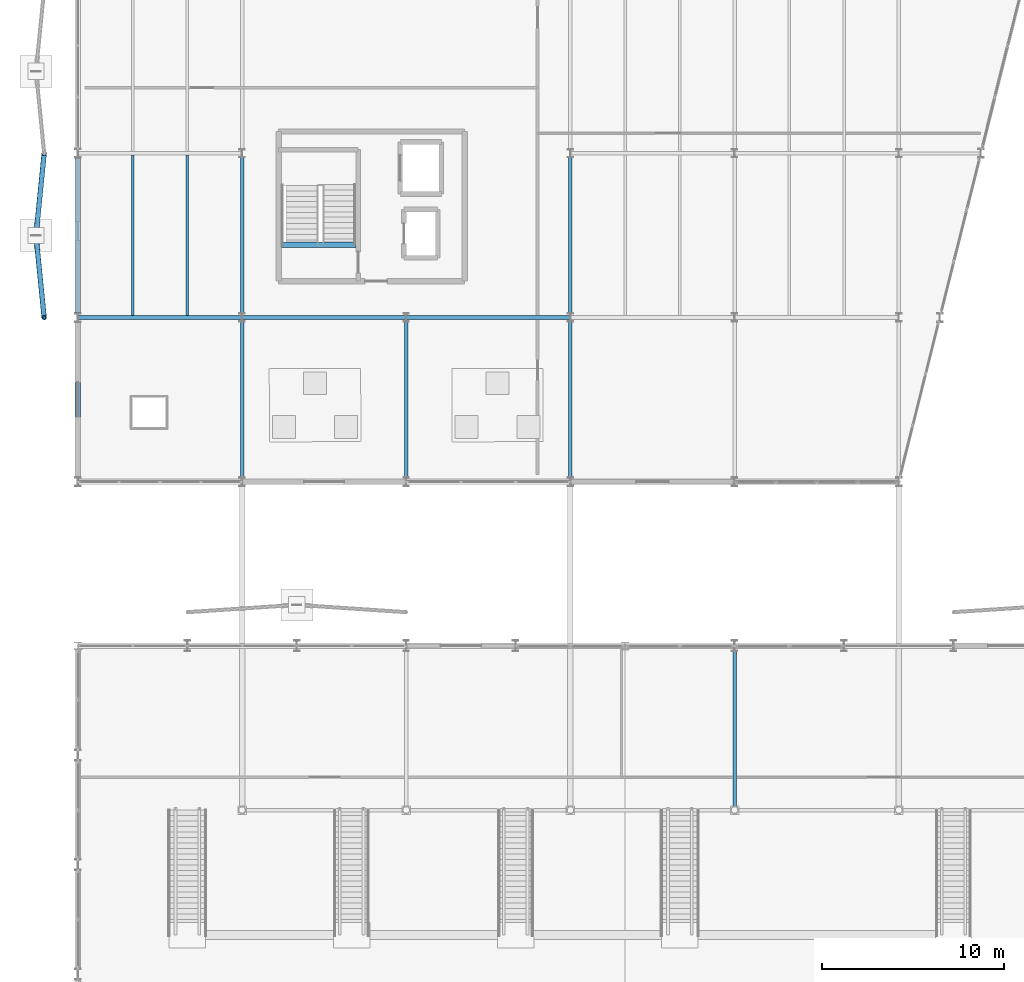
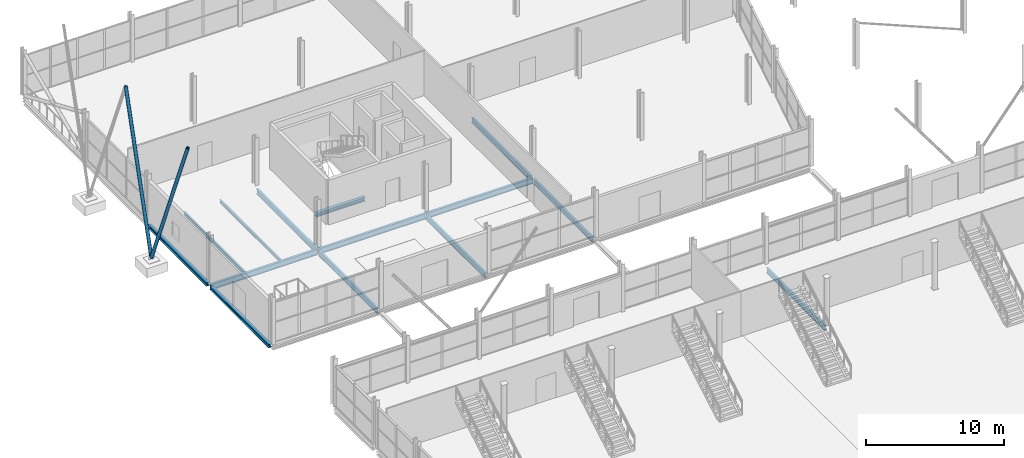
# One storey, part 45 of 140: 14 beams, 2 members.
"""IFC4 building model written with IfcOpenShell, lengths in metres."""

from ifc_helpers import new_model, si_unit, direction, frame, origin, origin_2d, place, context, subcontext, project, spatial, hollow_circle, i_section, extrude, material, material_profile, profile_set, type_object, element, save


model = new_model("IFC4")

# Units and contexts
model_context = context("Model", 3, precision=1e-05, world=origin(), true_north=direction((0.0, 1.0)))
body_context = subcontext(model_context, "Body", "Model", "MODEL_VIEW")
ifc_project = project(units=[si_unit("LENGTHUNIT", "METRE"), si_unit("AREAUNIT", "SQUARE_METRE"), si_unit("VOLUMEUNIT", "CUBIC_METRE"), si_unit("PLANEANGLEUNIT", "RADIAN"), si_unit("MASSUNIT", "GRAM", prefix="KILO")], contexts=[model_context])

# Site, building, storey
site_placement = place(None, origin())
site = spatial("IfcSite", under=ifc_project, at=site_placement, CompositionType="ELEMENT")
building_placement = place(site_placement, origin())
building = spatial("IfcBuilding", under=site, at=building_placement, Name="Deido Ridge Mobility Hub", CompositionType="ELEMENT")
storey_placement = place(building_placement, origin())
storey = spatial("IfcBuildingStorey", under=building, at=storey_placement, Name="L00", CompositionType="ELEMENT", Elevation=0.0)

# Beams
ifc_material_1 = material(Name="Steel S355J2 EN 10025-2", Category="steel")
ifc_material_profile_1 = material_profile(ifc_material_1, i_section(OverallWidth=0.300048828125, OverallDepth=0.330078125, WebThickness=0.009521484375, FlangeThickness=0.0166015625, FilletRadius=0.027099609375, at=origin_2d()), Name="HEA 340")
ifc_profile_set_1 = profile_set([ifc_material_profile_1], Name="Steel S355J2 EN 10025-2")
beam_type_1 = type_object("IfcBeamType", Name="BM-HEA340", PredefinedType="BEAM", material=ifc_profile_set_1)
beam_1_placement = place(storey_placement, frame((11.14990234375, 58.0, -0.425048828125), z_axis=(1.0, 0.0, 0.0), x_axis=(0.0, 1.0, 0.0)))
element("IfcBeam", 1, at=beam_1_placement, inside=storey, type_object=beam_type_1, Name="C6 stair landing trimmer beam B6", PredefinedType="BEAM", context=body_context, shape_type="SweptSolid", body=[
    extrude(i_section(OverallWidth=0.300048828125, OverallDepth=0.330078125, WebThickness=0.009521484375, FlangeThickness=0.0166015625, FilletRadius=0.027099609375, at=origin_2d()), origin(), (0.0, 0.0, 1.0), 4.085205078125),
])
ifc_material_profile_2 = material_profile(ifc_material_1, i_section(OverallWidth=0.18994140625, OverallDepth=0.449951171875, WebThickness=0.009521484375, FlangeThickness=0.0146484375, FilletRadius=0.02099609375, at=origin_2d()), Name="IPE 450")
ifc_profile_set_2 = profile_set([ifc_material_profile_2], Name="Steel S355J2 EN 10025-2")
beam_type_2 = type_object("IfcBeamType", Name="BM-IPE450", PredefinedType="BEAM", material=ifc_profile_set_2)
beam_2_placement = place(storey_placement, frame((9.0, 45.25, -0.485107421875), z_axis=(0.0, 1.0, 0.0), x_axis=(-1.0, 0.0, 0.0)))
element("IfcBeam", 2, at=beam_2_placement, inside=storey, type_object=beam_type_2, Name="Floor beam B4", PredefinedType="BEAM", context=body_context, shape_type="SweptSolid", body=[
    extrude(i_section(OverallWidth=0.18994140625, OverallDepth=0.449951171875, WebThickness=0.009521484375, FlangeThickness=0.0146484375, FilletRadius=0.02099609375, at=origin_2d()), origin(), (0.0, 0.0, 1.0), 8.52490234375),
])
beam_3_placement = place(storey_placement, frame((9.0, 54.22509765625, -0.485107421875), z_axis=(0.0, 1.0, 0.0), x_axis=(-1.0, 0.0, 0.0)))
element("IfcBeam", 3, at=beam_3_placement, inside=storey, type_object=beam_type_2, Name="Floor beam B4", PredefinedType="BEAM", context=body_context, shape_type="SweptSolid", body=[
    extrude(i_section(OverallWidth=0.18994140625, OverallDepth=0.449951171875, WebThickness=0.009521484375, FlangeThickness=0.0146484375, FilletRadius=0.02099609375, at=origin_2d()), origin(), (0.0, 0.0, 1.0), 8.5498046875),
])
for number, where, z_axis, x_axis, name in (
    (4, (18.0, 45.25, -0.485107421875), (0.0, 1.0, 0.0), (-1.0, 0.0, 0.0), "Floor beam B4"),
    (5, (27.0, 45.25, -0.485107421875), (0.0, 1.0, 0.0), (-1.0, 0.0, 0.0), "Floor beam B4"),
):
    element("IfcBeam", number, at=place(storey_placement, frame(where, z_axis=z_axis, x_axis=x_axis)), inside=storey, type_object=beam_type_2, Name=name, PredefinedType="BEAM", context=body_context, shape_type="SweptSolid", body=[
        extrude(i_section(OverallWidth=0.18994140625, OverallDepth=0.449951171875, WebThickness=0.009521484375, FlangeThickness=0.0146484375, FilletRadius=0.02099609375, at=origin_2d()), origin(), (0.0, 0.0, 1.0), 8.52490234375),
    ])
beam_4_placement = place(storey_placement, frame((27.0, 54.22509765625, -0.485107421875), z_axis=(0.0, 1.0, 0.0), x_axis=(-1.0, 0.0, 0.0)))
element("IfcBeam", 6, at=beam_4_placement, inside=storey, type_object=beam_type_2, Name="Floor beam B4", PredefinedType="BEAM", context=body_context, shape_type="SweptSolid", body=[
    extrude(i_section(OverallWidth=0.18994140625, OverallDepth=0.449951171875, WebThickness=0.009521484375, FlangeThickness=0.0146484375, FilletRadius=0.02099609375, at=origin_2d()), origin(), (0.0, 0.0, 1.0), 8.5498046875),
])
beam_5_placement = place(storey_placement, frame((36.0, 27.203125, -0.485107421875), z_axis=(0.0, 1.0, 0.0), x_axis=(-1.0, 0.0, 0.0)))
element("IfcBeam", 7, at=beam_5_placement, inside=storey, type_object=beam_type_2, Name="Floor beam B4", PredefinedType="BEAM", context=body_context, shape_type="SweptSolid", body=[
    extrude(i_section(OverallWidth=0.18994140625, OverallDepth=0.449951171875, WebThickness=0.009521484375, FlangeThickness=0.0146484375, FilletRadius=0.02099609375, at=origin_2d()), origin(), (0.0, 0.0, 1.0), 8.496826171875),
])
ifc_material_profile_3 = material_profile(ifc_material_1, i_section(OverallWidth=0.199951171875, OverallDepth=0.5, WebThickness=0.01025390625, FlangeThickness=0.01611328125, FilletRadius=0.02099609375, at=origin_2d()), Name="IPE 500")
ifc_profile_set_3 = profile_set([ifc_material_profile_3], Name="Steel S355J2 EN 10025-2")
beam_type_3 = type_object("IfcBeamType", Name="BM-IPE500", PredefinedType="BEAM", material=ifc_profile_set_3)
beam_6_placement = place(storey_placement, frame((0.00732421875, 54.0, -0.510009765625), z_axis=(1.0, 0.0, 0.0), x_axis=(0.0, 1.0, 0.0)))
element("IfcBeam", 8, at=beam_6_placement, inside=storey, type_object=beam_type_3, Name="Floor beam B3", PredefinedType="BEAM", context=body_context, shape_type="SweptSolid", body=[
    extrude(i_section(OverallWidth=0.199951171875, OverallDepth=0.5, WebThickness=0.01025390625, FlangeThickness=0.01611328125, FilletRadius=0.02099609375, at=origin_2d()), origin(), (0.0, 0.0, 1.0), 8.985595703125),
])
for number, where, z_axis, x_axis, name in (
    (9, (9.007080078125, 54.0, -0.510009765625), (1.0, 0.0, 0.0), (0.0, 1.0, 0.0), "Floor beam B3"),
    (10, (18.007080078125, 54.0, -0.510009765625), (1.0, 0.0, 0.0), (0.0, 1.0, 0.0), "Floor beam B3"),
):
    element("IfcBeam", number, at=place(storey_placement, frame(where, z_axis=z_axis, x_axis=x_axis)), inside=storey, type_object=beam_type_3, Name=name, PredefinedType="BEAM", context=body_context, shape_type="SweptSolid", body=[
        extrude(i_section(OverallWidth=0.199951171875, OverallDepth=0.5, WebThickness=0.01025390625, FlangeThickness=0.01611328125, FilletRadius=0.02099609375, at=origin_2d()), origin(), (0.0, 0.0, 1.0), 8.98583984375),
    ])
ifc_material_profile_4 = material_profile(ifc_material_1, i_section(OverallWidth=0.135009765625, OverallDepth=0.27001953125, WebThickness=0.006591796875, FlangeThickness=0.01025390625, FilletRadius=0.014892578125, at=origin_2d()), Name="IPE 270")
ifc_profile_set_4 = profile_set([ifc_material_profile_4], Name="Steel S355J2 EN 10025-2")
beam_type_4 = type_object("IfcBeamType", Name="JST-IPE270", PredefinedType="JOIST", material=ifc_profile_set_4)
beam_7_placement = place(storey_placement, frame((6.0, 54.10009765625, -0.39501953125), z_axis=(0.0, 1.0, 0.0), x_axis=(-1.0, 0.0, 0.0)))
element("IfcBeam", 11, at=beam_7_placement, inside=storey, type_object=beam_type_4, Name="Composite joist J4", PredefinedType="JOIST", context=body_context, shape_type="SweptSolid", body=[
    extrude(i_section(OverallWidth=0.135009765625, OverallDepth=0.27001953125, WebThickness=0.006591796875, FlangeThickness=0.01025390625, FilletRadius=0.014892578125, at=origin_2d()), origin(), (0.0, 0.0, 1.0), 8.7998046875),
])
ifc_material_profile_5 = material_profile(ifc_material_1, i_section(OverallWidth=0.14990234375, OverallDepth=0.300048828125, WebThickness=0.007080078125, FlangeThickness=0.0107421875, FilletRadius=0.014892578125, at=origin_2d()), Name="IPE 300")
ifc_profile_set_5 = profile_set([ifc_material_profile_5], Name="Steel S355J2 EN 10025-2")
beam_type_5 = type_object("IfcBeamType", Name="JST-IPE300", PredefinedType="JOIST", material=ifc_profile_set_5)
beam_8_placement = place(storey_placement, frame((3.0, 54.10009765625, -0.409912109375), z_axis=(0.0, 1.0, 0.0), x_axis=(-1.0, 0.0, 0.0)))
element("IfcBeam", 12, at=beam_8_placement, inside=storey, type_object=beam_type_5, Name="Composite joist J3", PredefinedType="JOIST", context=body_context, shape_type="SweptSolid", body=[
    extrude(i_section(OverallWidth=0.14990234375, OverallDepth=0.300048828125, WebThickness=0.007080078125, FlangeThickness=0.0107421875, FilletRadius=0.014892578125, at=origin_2d()), origin(), (0.0, 0.0, 1.0), 8.7998046875),
])

# Members
ifc_material_2 = material(Name="Steel S355J2H EN 10210-1", Category="steel")
ifc_material_profile_6 = material_profile(ifc_material_2, hollow_circle(Radius=0.136474609375, WallThickness=0.012451171875, at=origin_2d()), Name="CHS 273x12.5")
ifc_profile_set_6 = profile_set([ifc_material_profile_6], Name="Steel S355J2H EN 10210-1")
member_type = type_object("IfcMemberType", Name="MEM-BRC-CHS273", PredefinedType="BRACE", material=ifc_profile_set_6)
for number, where, z_axis, x_axis, name in (
    (13, (-2.300048828125, 58.5, 0.1650390625), (0.034371308104, -0.343750380348, 0.938431824476), (0.995038259148, 0.099493029059, 0.0), "Deconstructivist exoskeleton raked V-strut BR1"),
    (14, (-2.300048828125, 58.5, 0.1650390625), (0.034371308104, 0.343750380348, 0.938431824476), (-0.995038259148, 0.099493029059, 0.0), "Deconstructivist exoskeleton raked V-strut BR1"),
):
    element("IfcMember", number, at=place(storey_placement, frame(where, z_axis=z_axis, x_axis=x_axis)), inside=storey, type_object=member_type, Name=name, PredefinedType="BRACE", context=body_context, shape_type="SweptSolid", body=[
        extrude(hollow_circle(Radius=0.136474609375, WallThickness=0.012451171875, at=origin_2d()), origin(), (0.0, 0.0, 1.0), 13.0908203125),
    ])

# Beams
ifc_material_profile_7 = material_profile(ifc_material_1, i_section(OverallWidth=0.300048828125, OverallDepth=0.300048828125, WebThickness=0.010986328125, FlangeThickness=0.01904296875, FilletRadius=0.027099609375, at=origin_2d()), Name="HEB 300")
ifc_profile_set_7 = profile_set([ifc_material_profile_7], Name="Steel S355J2 EN 10025-2")
beam_type_6 = type_object("IfcBeamType", Name="SPD-HEB300", PredefinedType="SPANDREL", material=ifc_profile_set_7)
for number, where, z_axis, x_axis, name in (
    (15, (0.0, 45.25, -0.409912109375), (0.0, 1.0, 0.0), (-1.0, 0.0, 0.0), "Floor beam SP1"),
    (16, (0.0, 54.25, -0.409912109375), (0.0, 1.0, 0.0), (-1.0, 0.0, 0.0), "Floor beam SP1"),
):
    element("IfcBeam", number, at=place(storey_placement, frame(where, z_axis=z_axis, x_axis=x_axis)), inside=storey, type_object=beam_type_6, Name=name, PredefinedType="SPANDREL", context=body_context, shape_type="SweptSolid", body=[
        extrude(i_section(OverallWidth=0.300048828125, OverallDepth=0.300048828125, WebThickness=0.010986328125, FlangeThickness=0.01904296875, FilletRadius=0.027099609375, at=origin_2d()), origin(), (0.0, 0.0, 1.0), 8.5),
    ])

save(model, "model.ifc")
